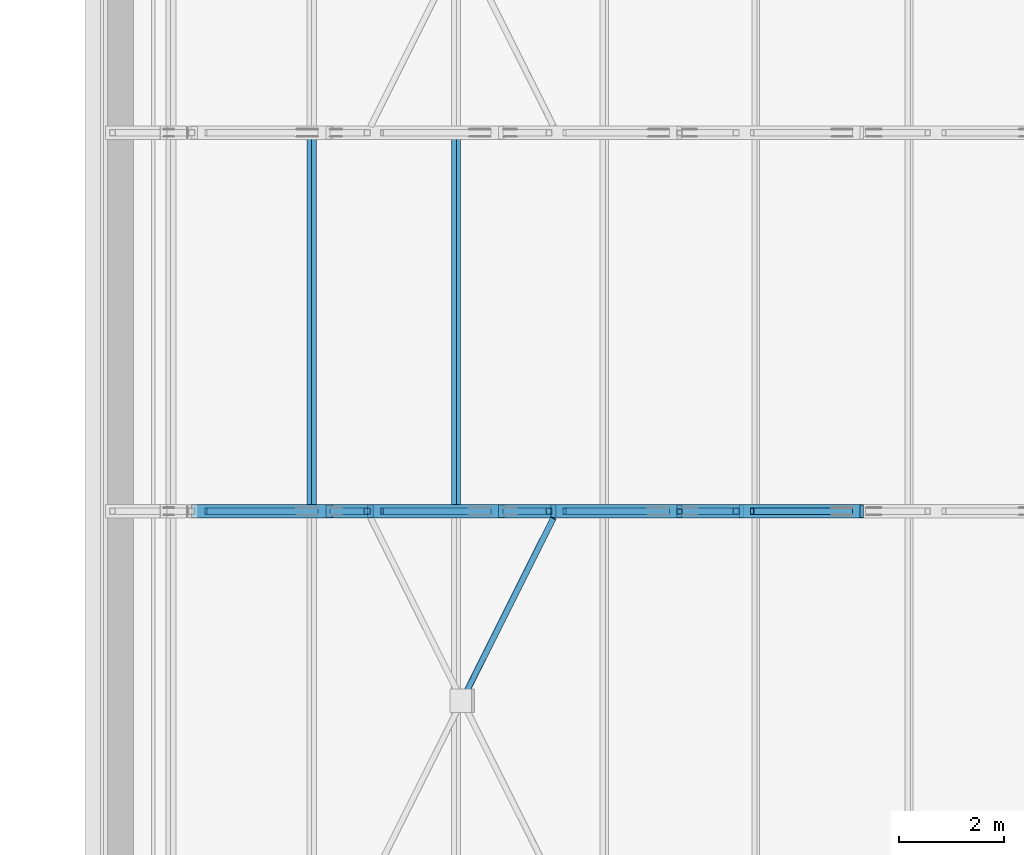
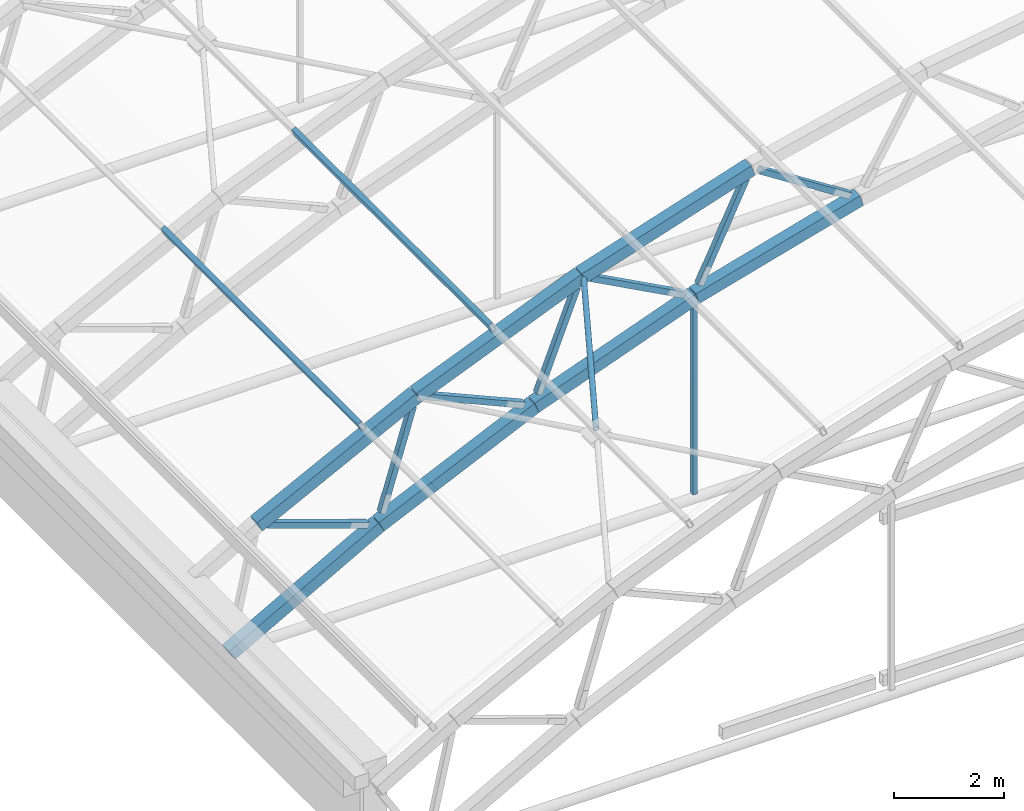
# One storey, part 39 of 127: 18 members.
"""IFC4 building model written with IfcOpenShell, lengths in metres."""

from ifc_helpers import new_model, si_unit, direction, frame, origin, origin_2d, place, context, subcontext, project, spatial, hollow_rectangle, hollow_circle, extrude, material, material_profile, profile_set, type_object, element, save


model = new_model("IFC4")

# Units and contexts
model_context = context("Model", 3, precision=1e-05, world=origin(), true_north=direction((0.0, 1.0)))
body_context = subcontext(model_context, "Body", "Model", "MODEL_VIEW")
ifc_project = project(units=[si_unit("LENGTHUNIT", "METRE"), si_unit("AREAUNIT", "SQUARE_METRE"), si_unit("VOLUMEUNIT", "CUBIC_METRE"), si_unit("PLANEANGLEUNIT", "RADIAN"), si_unit("MASSUNIT", "GRAM", prefix="KILO")], contexts=[model_context])

# Site, building, storey
site_placement = place(None, origin())
site = spatial("IfcSite", under=ifc_project, at=site_placement, CompositionType="ELEMENT")
building_placement = place(site_placement, origin())
building = spatial("IfcBuilding", under=site, at=building_placement, Name="Verrick Yard Athletic Hall", CompositionType="ELEMENT")
storey_placement = place(building_placement, frame((0.0, 0.0, 14.0)))
storey = spatial("IfcBuildingStorey", under=building, at=storey_placement, Name="L03", CompositionType="ELEMENT", Elevation=14.0)

# Members
ifc_material = material(Name="Structural steel HSS Class C 350W (CSA G40.20/G40.21)", Category="steel")
ifc_material_profile_1 = material_profile(ifc_material, hollow_rectangle(XDim=0.25390625, YDim=0.25390625, WallThickness=0.009521484375, at=origin_2d()), Name="HSS254x254x9.5")
ifc_profile_set_1 = profile_set([ifc_material_profile_1], Name="Structural steel HSS Class C 350W (CSA G40.20/G40.21)")
member_type_1 = type_object("IfcMemberType", Name="HB bottom chord HSS254x254x9.5", PredefinedType="CHORD", material=ifc_profile_set_1)
member_1_placement = place(storey_placement, frame((121.60009765625, 79.199951171875, 0.0), z_axis=(0.872881488331, 0.0, 0.4879322774), x_axis=(0.0, 1.0, 0.0)))
element("IfcMember", 1, at=member_1_placement, inside=storey, type_object=member_type_1, Name="Truss TA2 bottom chord 1", PredefinedType="CHORD", context=body_context, shape_type="SweptSolid", body=[
    extrude(hollow_rectangle(XDim=0.25390625, YDim=0.25390625, WallThickness=0.009521484375, at=origin_2d()), origin(), (0.0, 0.0, 1.0), 3.60107421875),
])
member_2_placement = place(storey_placement, frame((124.752197265625, 79.199951171875, 1.761474609375), z_axis=(0.908445597889, 0.0, 0.418003104865), x_axis=(0.0, 1.0, 0.0)))
element("IfcMember", 2, at=member_2_placement, inside=storey, type_object=member_type_1, Name="Truss TA2 bottom chord 2", PredefinedType="CHORD", context=body_context, shape_type="SweptSolid", body=[
    extrude(hollow_rectangle(XDim=0.25390625, YDim=0.25390625, WallThickness=0.009521484375, at=origin_2d()), origin(), (0.0, 0.0, 1.0), 3.59619140625),
])
for number, where, z_axis, x_axis, name in (
    (3, (128.0283203125, 79.199951171875, 3.2685546875), (0.938394107905, 0.0, 0.345566922966), (0.0, 1.0, 0.0), "Truss TA2 bottom chord 3"),
    (4, (131.412353515625, 79.199951171875, 4.514404296875), (0.962572378456, 0.0, 0.271024752066), (0.0, 1.0, 0.0), "Truss TA2 bottom chord 4"),
):
    element("IfcMember", number, at=place(storey_placement, frame(where, z_axis=z_axis, x_axis=x_axis)), inside=storey, type_object=member_type_1, Name=name, PredefinedType="CHORD", context=body_context, shape_type="SweptSolid", body=[
        extrude(hollow_rectangle(XDim=0.25390625, YDim=0.25390625, WallThickness=0.009521484375, at=origin_2d()), origin(), (0.0, 0.0, 1.0), 3.595947265625),
    ])
ifc_material_profile_2 = material_profile(ifc_material, hollow_rectangle(XDim=0.1015625, YDim=0.203125, WallThickness=0.009521484375, at=origin_2d()), Name="HSS203x102x9.5")
ifc_profile_set_2 = profile_set([ifc_material_profile_2], Name="Structural steel HSS Class C 350W (CSA G40.20/G40.21)")
member_type_2 = type_object("IfcMemberType", Name="HB purlin HSS203x102x9.5", PredefinedType="PURLIN", material=ifc_profile_set_2)
for number, where, z_axis, x_axis, name in (
    (5, (124.410888671875, 79.199951171875, 4.046875), (0.0, 1.0, 0.0), (-0.891352741199, 0.0, -0.453310369126), "HB-PU-A-2-2"),
    (6, (127.162109375, 79.199951171875, 5.2822265625), (0.0, 1.0, 0.0), (-0.924122791552, 0.0, -0.382095624331), "HB-PU-A-2-3"),
):
    element("IfcMember", number, at=place(storey_placement, frame(where, z_axis=z_axis, x_axis=x_axis)), inside=storey, type_object=member_type_2, Name=name, PredefinedType="PURLIN", context=body_context, shape_type="SweptSolid", body=[
        extrude(hollow_rectangle(XDim=0.1015625, YDim=0.203125, WallThickness=0.009521484375, at=origin_2d()), origin(), (0.0, 0.0, 1.0), 7.199951171875),
    ])
ifc_material_profile_3 = material_profile(ifc_material, hollow_circle(Radius=0.05712890625, WallThickness=0.00634765625, at=origin_2d()), Name="HSS114x6.4")
ifc_profile_set_3 = profile_set([ifc_material_profile_3], Name="Structural steel HSS Class C 350W (CSA G40.20/G40.21)")
member_type_3 = type_object("IfcMemberType", Name="HB roof brace HSS114x6.4", PredefinedType="BRACE", material=ifc_profile_set_3)
member_3_placement = place(storey_placement, frame((127.31982421875, 75.69287109375, 5.10009765625), z_axis=(0.440226283046, 0.879245944716, 0.182009308599), x_axis=(-0.894181632682, 0.447704375424, 0.0)))
element("IfcMember", 7, at=member_3_placement, inside=storey, type_object=member_type_3, Name="HB-BR-A-1-1b2", PredefinedType="BRACE", context=body_context, shape_type="SweptSolid", body=[
    extrude(hollow_circle(Radius=0.05712890625, WallThickness=0.00634765625, at=origin_2d()), origin(), (0.0, 0.0, 1.0), 3.84423828125),
])
ifc_material_profile_4 = material_profile(ifc_material, hollow_rectangle(XDim=0.25390625, YDim=0.25390625, WallThickness=0.009521484375, at=origin_2d()), Name="HSS254x254x9.5")
ifc_profile_set_4 = profile_set([ifc_material_profile_4], Name="Structural steel HSS Class C 350W (CSA G40.20/G40.21)")
member_type_4 = type_object("IfcMemberType", Name="HB top chord HSS254x254x9.5", PredefinedType="CHORD", material=ifc_profile_set_4)
member_4_placement = place(storey_placement, frame((122.18408203125, 79.199951171875, 2.657958984375), z_axis=(0.891336584454, 0.0, 0.453342137037), x_axis=(0.0, 1.0, 0.0)))
element("IfcMember", 8, at=member_4_placement, inside=storey, type_object=member_type_4, Name="Truss TA2 top chord 2", PredefinedType="CHORD", context=body_context, shape_type="SweptSolid", body=[
    extrude(hollow_rectangle(XDim=0.25390625, YDim=0.25390625, WallThickness=0.009521484375, at=origin_2d()), origin(), (0.0, 0.0, 1.0), 3.754150390625),
])
member_5_placement = place(storey_placement, frame((125.53955078125, 79.199951171875, 4.364013671875), z_axis=(0.924130129149, 0.0, 0.382077877402), x_axis=(0.0, 1.0, 0.0)))
element("IfcMember", 9, at=member_5_placement, inside=storey, type_object=member_type_4, Name="Truss TA2 top chord 3", PredefinedType="CHORD", context=body_context, shape_type="SweptSolid", body=[
    extrude(hollow_rectangle(XDim=0.25390625, YDim=0.25390625, WallThickness=0.009521484375, at=origin_2d()), origin(), (0.0, 0.0, 1.0), 3.752685546875),
])
member_6_placement = place(storey_placement, frame((129.016845703125, 79.199951171875, 5.80126953125), z_axis=(0.951208887206, 0.0, 0.308547650938), x_axis=(0.0, 1.0, 0.0)))
element("IfcMember", 10, at=member_6_placement, inside=storey, type_object=member_type_4, Name="Truss TA2 top chord 4", PredefinedType="CHORD", context=body_context, shape_type="SweptSolid", body=[
    extrude(hollow_rectangle(XDim=0.25390625, YDim=0.25390625, WallThickness=0.009521484375, at=origin_2d()), origin(), (0.0, 0.0, 1.0), 3.7529296875),
])
ifc_material_profile_5 = material_profile(ifc_material, hollow_rectangle(XDim=0.1015625, YDim=0.1015625, WallThickness=0.00634765625, at=origin_2d()), Name="HSS102x102x6.4")
ifc_profile_set_5 = profile_set([ifc_material_profile_5], Name="Structural steel HSS Class C 350W (CSA G40.20/G40.21)")
member_type_5 = type_object("IfcMemberType", Name="HB truss hanger HSS102x102x6.4", PredefinedType="MEMBER", material=ifc_profile_set_5)
member_7_placement = place(storey_placement, frame((131.407470703125, 79.199951171875, 4.35888671875), z_axis=(0.0, 0.0, -1.0), x_axis=(0.0, -1.0, 0.0)))
element("IfcMember", 11, at=member_7_placement, inside=storey, type_object=member_type_5, Name="Truss TA2 hanger 1", PredefinedType="MEMBER", context=body_context, shape_type="SweptSolid", body=[
    extrude(hollow_rectangle(XDim=0.1015625, YDim=0.1015625, WallThickness=0.00634765625, at=origin_2d()), origin(), (0.0, 0.0, 1.0), 4.249267578125),
])
ifc_material_profile_6 = material_profile(ifc_material, hollow_rectangle(XDim=0.126953125, YDim=0.126953125, WallThickness=0.009521484375, at=origin_2d()), Name="HSS127x127x9.5")
ifc_profile_set_6 = profile_set([ifc_material_profile_6], Name="Structural steel HSS Class C 350W (CSA G40.20/G40.21)")
member_type_6 = type_object("IfcMemberType", Name="HB truss web HSS127x127x9.5", PredefinedType="BRACE", material=ifc_profile_set_6)
for number, where, z_axis, x_axis, name in (
    (12, (122.404296875, 79.199951171875, 2.578369140625), (0.944026930686, 0.0, -0.329868389118), (0.0, 1.0, 0.0), "Truss TA2 web 2"),
    (13, (124.81982421875, 79.199951171875, 1.99755859375), (0.289443070658, 0.0, 0.957195230268), (0.0, 1.0, 0.0), "Truss TA2 web 3"),
    (14, (125.75146484375, 79.199951171875, 4.2666015625), (0.915297302882, 0.0, -0.402778906272), (0.0, 1.0, 0.0), "Truss TA2 web 4"),
    (15, (128.114013671875, 79.199951171875, 3.49853515625), (0.363537858519, 0.0, 0.931579425183), (0.0, 1.0, 0.0), "Truss TA2 web 5"),
    (16, (129.220703125, 79.199951171875, 5.687744140625), (0.880926928438, 0.0, -0.473252307709), (0.0, 1.0, 0.0), "Truss TA2 web 6"),
    (17, (131.515869140625, 79.199951171875, 4.73681640625), (0.435369492886, 0.0, 0.900251856241), (0.0, 1.0, 0.0), "Truss TA2 web 7"),
    (18, (132.79052734375, 79.199951171875, 6.832763671875), (0.841150064875, 0.0, -0.540801782875), (0.0, 1.0, 0.0), "Truss TA2 web 8"),
):
    element("IfcMember", number, at=place(storey_placement, frame(where, z_axis=z_axis, x_axis=x_axis)), inside=storey, type_object=member_type_6, Name=name, PredefinedType="BRACE", context=body_context, shape_type="SweptSolid", body=[
        extrude(hollow_rectangle(XDim=0.126953125, YDim=0.126953125, WallThickness=0.009521484375, at=origin_2d()), origin(), (0.0, 0.0, 1.0), 2.233642578125),
    ])

save(model, "model.ifc")
